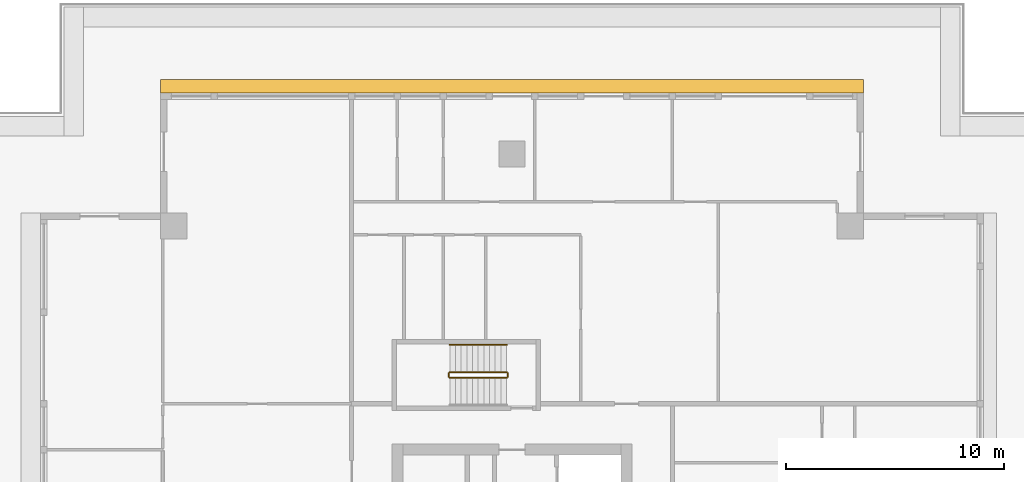
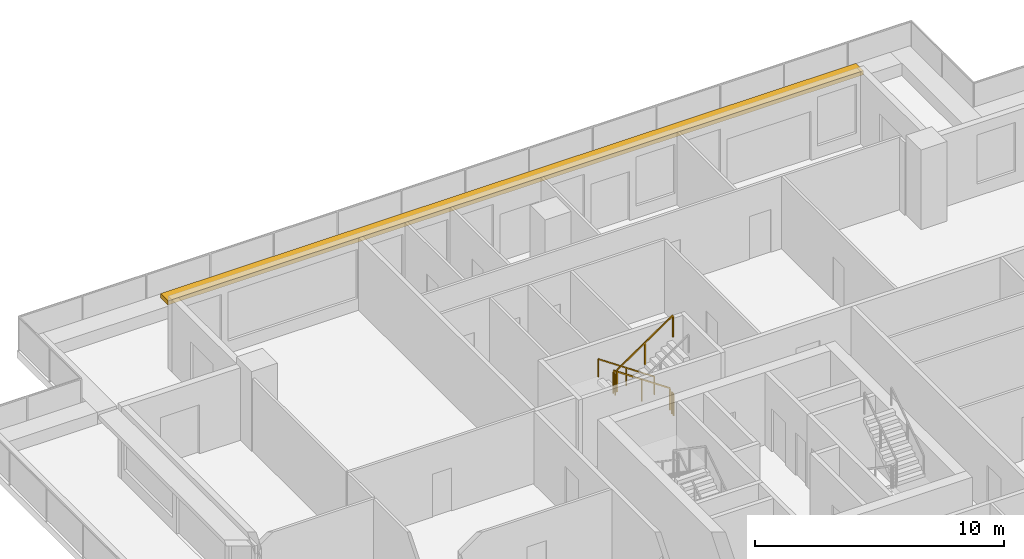
# One storey, part 10 of 11: 5 railings, 1 shading device.
"""IFC4 building model written with IfcOpenShell, lengths in metres."""

import ifcopenshell
import ifcopenshell.guid

model = None  # the IFC model being written
_history = None  # IfcOwnerHistory: only IFC2X3 demands one
_inside = {}  # id of a spatial element -> (the spatial element, [elements in it])
_under = {}  # id of a project, library or spatial element -> (it, [spatial elements below it])
_declared = {}  # id of a project -> (the project, [libraries it declares])
_typed = {}  # id of a type object -> (the type object, [elements of that type])
_made_of = {}  # id of a material, layer set ... -> (it, [elements and type objects made of it])


def new_model(schema):
    """Start an empty IFC model of exactly this schema.

    Asked for "IFC4X3", IfcOpenShell would pick the latest addendum, in which some entities
    have other attributes; the version numbers below select the first issue.
    IFC2X3 requires an IfcOwnerHistory on every rooted entity: one is made here for all.
    """
    global model, _history
    if schema == "IFC4X3":
        model = ifcopenshell.file(schema_version=(4, 3, 0, 0))
    else:
        model = ifcopenshell.file(schema=schema)
    _inside.clear()
    _under.clear()
    _declared.clear()
    _typed.clear()
    _made_of.clear()
    _history = None
    if model.schema == "IFC2X3":
        org = make("IfcOrganization", Name="unknown")
        user = make(
            "IfcPersonAndOrganization",
            ThePerson=make("IfcPerson", FamilyName="unknown"),
            TheOrganization=org,
        )
        app = make(
            "IfcApplication",
            ApplicationDeveloper=org,
            Version="unknown",
            ApplicationFullName="unknown",
            ApplicationIdentifier="unknown",
        )
        _history = make(
            "IfcOwnerHistory",
            OwningUser=user,
            OwningApplication=app,
            ChangeAction="ADDED",
            CreationDate=0,
        )
    return model


def make(cls, **values):
    """One entity of the class cls with the attributes given. An attribute that is None is left unset."""
    return model.create_entity(
        cls, **{name: value for name, value in values.items() if value is not None}
    )


def rooted(cls, **values):
    """An entity with a GlobalId (a new one), such as an element, a storey or a relation."""
    return make(cls, GlobalId=ifcopenshell.guid.new(), OwnerHistory=_history, **values)


def si_unit(unit_type, name, prefix=None):
    """IfcSIUnit, for example si_unit("LENGTHUNIT", "METRE", prefix="MILLI")."""
    return make("IfcSIUnit", UnitType=unit_type, Prefix=prefix, Name=name)


def assignment(units):
    """IfcUnitAssignment: the units of a project."""
    return None if units is None else make("IfcUnitAssignment", Units=units)


def point(xyz):
    """IfcCartesianPoint."""
    return None if xyz is None else make("IfcCartesianPoint", Coordinates=xyz)


def direction(xyz):
    """IfcDirection."""
    return None if xyz is None else make("IfcDirection", DirectionRatios=xyz)


def frame(location, z_axis=None, x_axis=None):
    """IfcAxis2Placement3D, a coordinate frame: its origin and axes. An axis left out is left unset."""
    return make(
        "IfcAxis2Placement3D",
        Location=point(location),
        Axis=direction(z_axis),
        RefDirection=direction(x_axis),
    )


def frame_2d(location, x_axis=None):
    """IfcAxis2Placement2D, a coordinate frame in the plane: its origin and x axis."""
    return make(
        "IfcAxis2Placement2D", Location=point(location), RefDirection=direction(x_axis)
    )


def origin():
    """The frame at (0, 0, 0) with its axes left unset."""
    return frame((0.0, 0.0, 0.0))


def origin_2d():
    """The frame at (0, 0) in the plane with its x axis left unset."""
    return frame_2d((0.0, 0.0))


def place(relative_to, where):
    """IfcLocalPlacement: puts the frame where relative to a parent placement (None: the world)."""
    return make(
        "IfcLocalPlacement", PlacementRelTo=relative_to, RelativePlacement=where
    )


def context(
    kind, dimensions, precision=None, world=None, true_north=None, identifier=None
):
    """IfcGeometricRepresentationContext, for example the 3D "Model" context."""
    return make(
        "IfcGeometricRepresentationContext",
        ContextIdentifier=identifier,
        ContextType=kind,
        CoordinateSpaceDimension=dimensions,
        Precision=precision,
        WorldCoordinateSystem=world,
        TrueNorth=true_north,
    )


def subcontext(parent, identifier, kind, view, scale=None):
    """IfcGeometricRepresentationSubContext, for example "Body" below "Model"."""
    return make(
        "IfcGeometricRepresentationSubContext",
        ContextIdentifier=identifier,
        ContextType=kind,
        ParentContext=parent,
        TargetScale=scale,
        TargetView=view,
    )


def project(units=None, contexts=None):
    """IfcProject with its units and contexts."""
    return rooted(
        "IfcProject",
        Name="project",
        RepresentationContexts=contexts,
        UnitsInContext=assignment(units),
    )


def spatial(cls, under=None, at=None, **own):
    """A site, building, storey or space (cls), placed at a placement, below another one or the project."""
    s = rooted(cls, ObjectPlacement=at, **own)
    if under is not None:
        _under.setdefault(under.id(), (under, []))[1].append(s)
    return s


def polyline(points):
    """IfcPolyline through the points."""
    return make("IfcPolyline", Points=[point(p) for p in points])


def profile(cls, at=None, kind="AREA", **sizes):
    """A parametric profile (cls). Its sizes go by their IFC names, for example OverallWidth=200.0."""
    return make(cls, ProfileType=kind, Position=at, **sizes)


def rectangle(**sizes):
    """IfcRectangleProfileDef."""
    return profile("IfcRectangleProfileDef", **sizes)


def outline(outer, holes=None, kind="AREA"):
    """IfcArbitraryClosedProfileDef: a profile drawn as a closed curve; with holes, ...WithVoids."""
    if holes is None:
        return make("IfcArbitraryClosedProfileDef", ProfileType=kind, OuterCurve=outer)
    return make(
        "IfcArbitraryProfileDefWithVoids",
        ProfileType=kind,
        OuterCurve=outer,
        InnerCurves=holes,
    )


def extrude(swept, where, along, depth):
    """IfcExtrudedAreaSolid: the profile swept, set in the frame where, extruded along a direction by depth."""
    return make(
        "IfcExtrudedAreaSolid",
        SweptArea=swept,
        Position=where,
        ExtrudedDirection=direction(along),
        Depth=depth,
    )


def shape(context_of_items, identifier, shape_type, items):
    """IfcShapeRepresentation: the items that make up one representation, for example the "Body"."""
    return make(
        "IfcShapeRepresentation",
        ContextOfItems=context_of_items,
        RepresentationIdentifier=identifier,
        RepresentationType=shape_type,
        Items=items,
    )


def material(Name=None, Category=None):
    """IfcMaterial."""
    return make("IfcMaterial", Name=Name, Category=Category)


def layer(
    of_material, thickness, ventilated=None, Name=None, Category=None, Priority=None
):
    """IfcMaterialLayer: one layer of a wall or slab, of a material (None: an air gap)."""
    return make(
        "IfcMaterialLayer",
        Material=of_material,
        LayerThickness=thickness,
        IsVentilated=ventilated,
        Name=Name,
        Category=Category,
        Priority=Priority,
    )


def layer_set(layers, Name=None):
    """IfcMaterialLayerSet."""
    return make("IfcMaterialLayerSet", MaterialLayers=layers, LayerSetName=Name)


def made_of(thing, what):
    """Note that an element or type object is made of a material, layer set ...; save() writes the relation."""
    if what is not None:
        _made_of.setdefault(what.id(), (what, []))[1].append(thing)
    return thing


def type_object(cls, material=None, **own):
    """A type object (cls), such as IfcWallType, which elements share."""
    return made_of(rooted(cls, **own), material)


def element(
    cls,
    number,
    at=None,
    inside=None,
    cuts=None,
    type_object=None,
    material=None,
    context=None,
    identifier="Body",
    shape_type=None,
    held_by="IfcProductDefinitionShape",
    body=None,
    shapes=None,
    **own,
):
    """One element of the class cls, such as IfcWall. Its Tag is "e" and its number.

    at: its placement. inside: the storey or other place that contains it. cuts: it is an
    opening in that element (IfcRelVoidsElement). A single representation is given by context,
    identifier, shape_type and body (its items); several are given by shapes. held_by: the class
    of the entity that holds the representations. save() writes the other relations.
    """
    e = rooted(cls, Tag="e%d" % number, ObjectPlacement=at, **own)
    if body is not None:
        shapes = [shape(context, identifier, shape_type, body)]
    if shapes is not None:
        e.Representation = make(held_by, Representations=shapes)
    if inside is not None:
        _inside.setdefault(inside.id(), (inside, []))[1].append(e)
    if cuts is not None:
        rooted(
            "IfcRelVoidsElement", RelatingBuildingElement=cuts, RelatedOpeningElement=e
        )
    if type_object is not None:
        _typed.setdefault(type_object.id(), (type_object, []))[1].append(e)
    return made_of(e, material)


def aggregate(whole, parts):
    """IfcRelAggregates: a whole, such as a stair, and the parts it consists of."""
    return rooted("IfcRelAggregates", RelatingObject=whole, RelatedObjects=parts)


def save(model, path):
    """Write the relations noted so far, then the file.

    IfcRelAggregates (storeys below a building ...), IfcRelContainedInSpatialStructure (elements
    in a storey), IfcRelDefinesByType, IfcRelAssociatesMaterial and IfcRelDeclares: one each for
    every whole, place, type object, material and project.
    """
    for whole, parts in _under.values():
        aggregate(whole, parts)
    for where, things in _inside.values():
        rooted(
            "IfcRelContainedInSpatialStructure",
            RelatedElements=things,
            RelatingStructure=where,
        )
    for kind, things in _typed.values():
        rooted("IfcRelDefinesByType", RelatedObjects=things, RelatingType=kind)
    for what, things in _made_of.values():
        rooted("IfcRelAssociatesMaterial", RelatedObjects=things, RelatingMaterial=what)
    for by, libraries in _declared.values():
        rooted("IfcRelDeclares", RelatingContext=by, RelatedDefinitions=libraries)
    model.write(path)


model = new_model("IFC4")

# Units and contexts
model_context = context("Model", 3, precision=1e-05, world=origin(), true_north=direction((0.0, 1.0)))
body_context = subcontext(model_context, "Body", "Model", "MODEL_VIEW")
ifc_project = project(units=[si_unit("LENGTHUNIT", "METRE"), si_unit("AREAUNIT", "SQUARE_METRE"), si_unit("VOLUMEUNIT", "CUBIC_METRE"), si_unit("PLANEANGLEUNIT", "RADIAN"), si_unit("MASSUNIT", "GRAM", prefix="KILO")], contexts=[model_context])

# Site, building, storey
site_placement = place(None, origin())
site = spatial("IfcSite", under=ifc_project, at=site_placement, CompositionType="ELEMENT")
building_placement = place(site_placement, origin())
building = spatial("IfcBuilding", under=site, at=building_placement, Name="Khepri Terraces", CompositionType="ELEMENT")
storey_placement = place(building_placement, frame((0.0, 0.0, 292.800048828125)))
storey = spatial("IfcBuildingStorey", under=building, at=storey_placement, Name="L70", CompositionType="ELEMENT", Elevation=292.800048828125)

# Railings
ifc_material_1 = material(Name="Stainless steel 316", Category="steel")
railing_type_1 = type_object("IfcRailingType", Name="RL-CORE-GUARD", PredefinedType="GUARDRAIL", material=ifc_material_1)
railing_1_placement = place(storey_placement, frame((-0.25, 8.800048828125, 0.17724609375)))
element("IfcRailing", 1, at=railing_1_placement, inside=storey, type_object=railing_type_1, Name="L70 ST-3 stair guard 1", PredefinedType="GUARDRAIL", context=body_context, shape_type="SweptSolid", body=[
    extrude(rectangle(XDim=0.050048828125, YDim=0.06005859375, at=origin_2d()), frame((0.0, 0.0, 1.070068359375), z_axis=(-0.826240473404, 0.0, 0.563317565952), x_axis=(0.0, -1.0, 0.0)), (0.0, 0.0, 1.0), 3.14697265625),
    extrude(rectangle(XDim=0.050048828125, YDim=0.050048828125, at=origin_2d()), origin(), (0.0, 0.0, 1.0), 1.0400390625),
    extrude(rectangle(XDim=0.050048828125, YDim=0.050048828125, at=origin_2d()), frame((-1.300048828125, 0.0, 0.88623046875)), (0.0, 0.0, 1.0), 1.0400390625),
    extrude(rectangle(XDim=0.050048828125, YDim=0.050048828125, at=origin_2d()), frame((-2.60009765625, 0.0, 1.772705078125)), (0.0, 0.0, 1.0), 1.0400390625),
])
railing_2_placement = place(storey_placement, frame((-2.89990234375, 8.75, 1.949951171875)))
element("IfcRailing", 2, at=railing_2_placement, inside=storey, type_object=railing_type_1, Name="L70 ST-3 stair guard 2", PredefinedType="GUARDRAIL", context=body_context, shape_type="SweptSolid", body=[
    extrude(rectangle(XDim=0.050048828125, YDim=0.06005859375, at=origin_2d()), frame((0.0, 0.0, 1.070068359375), z_axis=(0.0, -1.0, 0.0), x_axis=(1.0, 0.0, 0.0)), (0.0, 0.0, 1.0), 0.14990234375),
    extrude(rectangle(XDim=0.050048828125, YDim=0.050048828125, at=origin_2d()), origin(), (0.0, 0.0, 1.0), 1.0400390625),
    extrude(rectangle(XDim=0.050048828125, YDim=0.050048828125, at=origin_2d()), frame((0.0, -0.14990234375, 0.0)), (0.0, 0.0, 1.0), 1.0400390625),
])
railing_3_placement = place(storey_placement, frame((-2.85009765625, 8.550048828125, 2.127197265625)))
element("IfcRailing", 3, at=railing_3_placement, inside=storey, type_object=railing_type_1, Name="L70 ST-3 stair guard 3", PredefinedType="GUARDRAIL", context=body_context, shape_type="SweptSolid", body=[
    extrude(rectangle(XDim=0.050048828125, YDim=0.06005859375, at=origin_2d()), frame((0.0, 0.0, 1.070068359375), z_axis=(0.826240473404, 0.0, 0.563317565952), x_axis=(0.0, 1.0, 0.0)), (0.0, 0.0, 1.0), 3.14697265625),
    extrude(rectangle(XDim=0.050048828125, YDim=0.050048828125, at=origin_2d()), origin(), (0.0, 0.0, 1.0), 1.0400390625),
    extrude(rectangle(XDim=0.050048828125, YDim=0.050048828125, at=origin_2d()), frame((1.300048828125, 0.0, 0.88623046875)), (0.0, 0.0, 1.0), 1.0400390625),
    extrude(rectangle(XDim=0.050048828125, YDim=0.050048828125, at=origin_2d()), frame((2.60009765625, 0.0, 1.772705078125)), (0.0, 0.0, 1.0), 1.0400390625),
])
railing_4_placement = place(storey_placement, frame((-0.199951171875, 8.75, 0.0)))
element("IfcRailing", 4, at=railing_4_placement, inside=storey, type_object=railing_type_1, Name="L70 ST-3 stair guard 4", PredefinedType="GUARDRAIL", context=body_context, shape_type="SweptSolid", body=[
    extrude(rectangle(XDim=0.050048828125, YDim=0.06005859375, at=origin_2d()), frame((0.0, 0.0, 1.070068359375), z_axis=(0.0, -1.0, 0.0), x_axis=(1.0, 0.0, 0.0)), (0.0, 0.0, 1.0), 0.14990234375),
    extrude(rectangle(XDim=0.050048828125, YDim=0.050048828125, at=origin_2d()), origin(), (0.0, 0.0, 1.0), 1.0400390625),
    extrude(rectangle(XDim=0.050048828125, YDim=0.050048828125, at=origin_2d()), frame((0.0, -0.14990234375, 0.0)), (0.0, 0.0, 1.0), 1.0400390625),
])
railing_type_2 = type_object("IfcRailingType", Name="RL-CORE-HANDRAIL", PredefinedType="HANDRAIL", material=ifc_material_1)
railing_5_placement = place(storey_placement, frame((-0.25, 10.050048828125, 0.17724609375)))
element("IfcRailing", 5, at=railing_5_placement, inside=storey, type_object=railing_type_2, Name="L70 ST-3 stair handrail 1", PredefinedType="HANDRAIL", context=body_context, shape_type="SweptSolid", body=[
    extrude(rectangle(XDim=0.050048828125, YDim=0.050048828125, at=origin_2d()), frame((0.0, 0.0, 0.875), z_axis=(-0.826240473404, 0.0, 0.563317565952), x_axis=(0.0, -1.0, 0.0)), (0.0, 0.0, 1.0), 3.14697265625),
    extrude(rectangle(XDim=0.050048828125, YDim=0.050048828125, at=origin_2d()), origin(), (0.0, 0.0, 1.0), 0.849853515625),
    extrude(rectangle(XDim=0.050048828125, YDim=0.050048828125, at=origin_2d()), frame((-1.300048828125, 0.0, 0.88623046875)), (0.0, 0.0, 1.0), 0.849853515625),
    extrude(rectangle(XDim=0.050048828125, YDim=0.050048828125, at=origin_2d()), frame((-2.60009765625, 0.0, 1.772705078125)), (0.0, 0.0, 1.0), 0.849853515625),
])

# Shading device
ifc_material_2 = material(Name="Precast concrete C50/60 warm stone", Category="masonry")
ifc_layer = layer(ifc_material_2, 0.199951171875, Name="Precast concrete C50/60 warm stone", Category="masonry")
ifc_layer_set = layer_set([ifc_layer], Name="Precast concrete C50/60 warm stone")
shading_device_type = type_object("IfcShadingDeviceType", Name="SSH-BAND-STONE-200-N", PredefinedType="USERDEFINED", material=ifc_layer_set)
shading_device_placement = place(storey_placement, frame((0.0, 0.0, 3.099853515625)))
element("IfcShadingDevice", 6, at=shading_device_placement, inside=storey, type_object=shading_device_type, Name="Sunshade band L70 N", ObjectType="SUNSHADE", PredefinedType="USERDEFINED", context=body_context, shape_type="SweptSolid", body=[
    extrude(outline(polyline([(-16.10009765625, 21.60009765625), (16.10009765625, 21.60009765625), (16.10009765625, 22.199951171875), (-16.10009765625, 22.199951171875), (-16.10009765625, 21.60009765625)])), origin(), (0.0, 0.0, 1.0), 0.2001953125),
])

save(model, "model.ifc")
